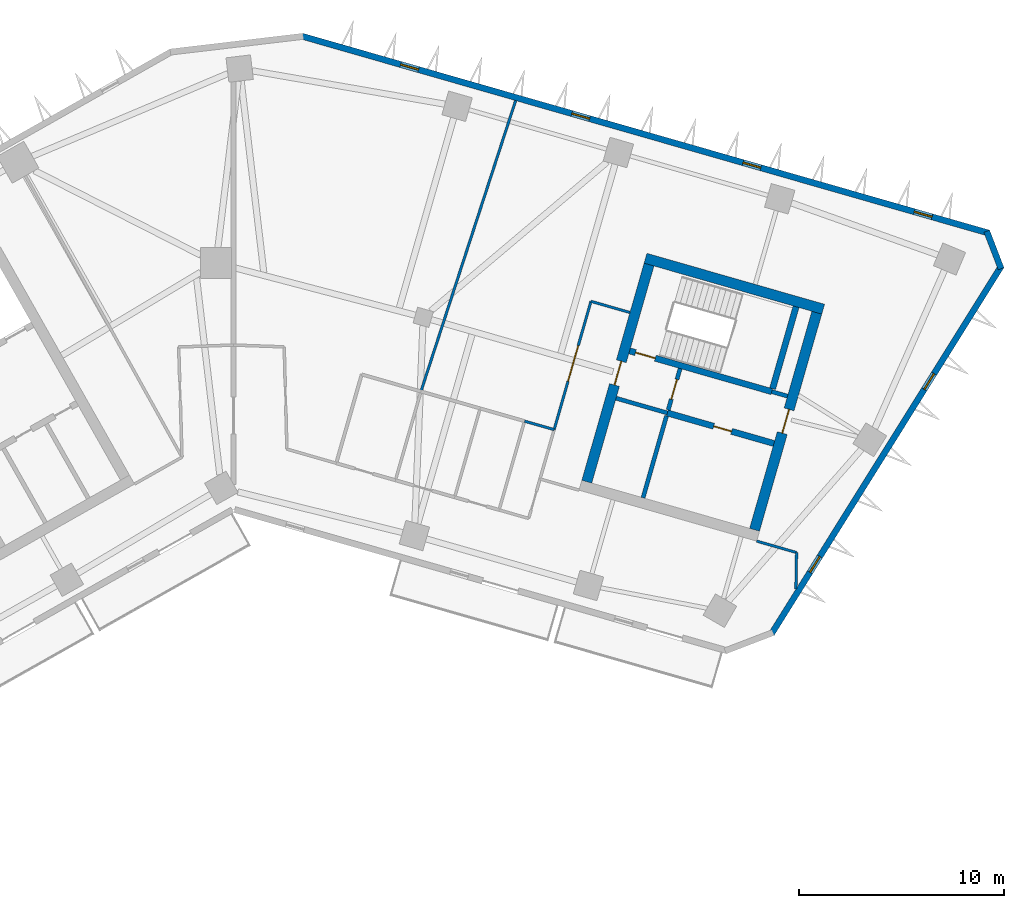
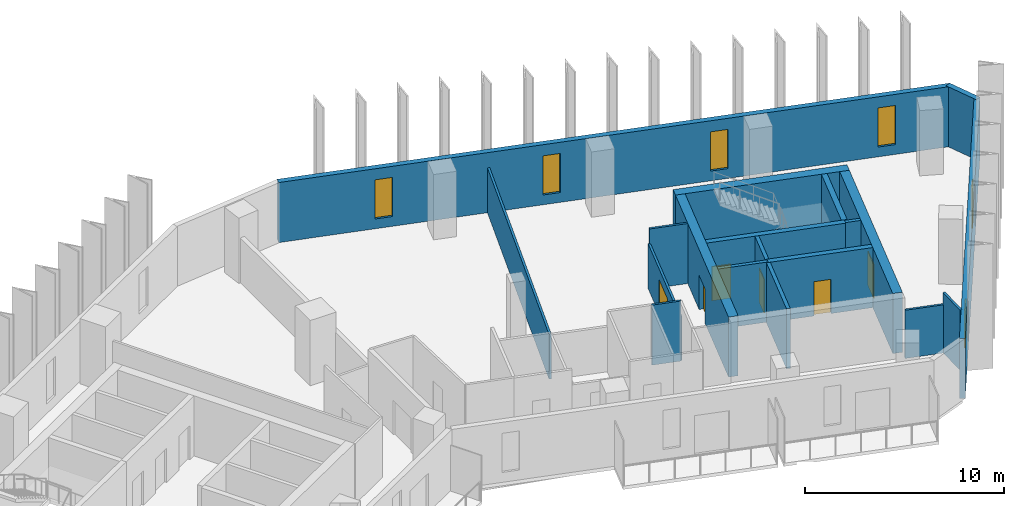
# One storey, part 6 of 10: 19 walls, 6 doors, 6 windows, 12 openings.
"""IFC4 building model written with IfcOpenShell, lengths in metres."""

from ifc_helpers import new_model, si_unit, direction, frame, frame_2d, origin, place, context, subcontext, project, spatial, rectangle, extrude, material, layer, layer_set, type_object, element, fill, save


model = new_model("IFC4")

# Units and contexts
model_context = context("Model", 3, precision=1e-05, world=origin(), true_north=direction((0.0, 1.0)))
body_context = subcontext(model_context, "Body", "Model", "MODEL_VIEW")
ifc_project = project(units=[si_unit("LENGTHUNIT", "METRE"), si_unit("AREAUNIT", "SQUARE_METRE"), si_unit("VOLUMEUNIT", "CUBIC_METRE"), si_unit("PLANEANGLEUNIT", "RADIAN"), si_unit("MASSUNIT", "GRAM", prefix="KILO")], contexts=[model_context])

# Site, building, storey
site_placement = place(None, origin())
site = spatial("IfcSite", under=ifc_project, at=site_placement, CompositionType="ELEMENT")
building_placement = place(site_placement, origin())
building = spatial("IfcBuilding", under=site, at=building_placement, Name="Binnacle Exchange Tower", CompositionType="ELEMENT")
storey_placement = place(building_placement, frame((0.0, 0.0, 194.89990234375)))
storey = spatial("IfcBuildingStorey", under=building, at=storey_placement, Name="L42", CompositionType="ELEMENT", Elevation=194.89990234375)

# Wall, opening, door
ifc_material_1 = material(Name="Concrete C70/85", Category="concrete")
ifc_layer_1 = layer(ifc_material_1, 0.300048828125)
ifc_layer_set_1 = layer_set([ifc_layer_1], Name="Core wall - front 300")
wall_type_1 = type_object("IfcWallType", Name="Core wall - front 300", PredefinedType="SOLIDWALL", material=ifc_layer_set_1)
wall_1_placement = place(storey_placement, frame((21.130859375, 52.6923828125, 0.0), z_axis=(0.0, 0.0, 1.0), x_axis=(0.961271043721, -0.27560475414, 0.0)))
wall_1 = element("IfcWall", 1, at=wall_1_placement, inside=storey, type_object=wall_type_1, Name="Core wall CRWD3", PredefinedType="SOLIDWALL", context=body_context, shape_type="SweptSolid", body=[
    extrude(rectangle(XDim=5.400146484375, YDim=0.300048828125, at=frame_2d((2.7001953125, 0.0))), origin(), (0.0, 0.0, 1.0), 3.68017578125),
])
opening_1_placement = place(wall_1_placement, frame((2.35009765625, 0.0, 0.0)))
opening_1 = element("IfcOpeningElement", 2, at=opening_1_placement, cuts=wall_1, Name="Opening DD10", PredefinedType="OPENING", context=body_context, shape_type="SweptSolid", body=[
    extrude(rectangle(XDim=0.89990234375, YDim=2.10009765625, at=frame_2d((0.449951171875, 1.050048828125))), frame((0.0, 0.159912109375, 0.0), z_axis=(0.0, -1.0, 0.0), x_axis=(1.0, 0.0, 0.0)), (0.0, 0.0, 1.0), 0.320068359375),
])
ifc_material_2 = material(Name="Steel door leaf", Category="steel")
door_type_1 = type_object("IfcDoorType", Name="Fire door 900", OperationType="NOTDEFINED", PredefinedType="DOOR", material=ifc_material_2)
door_1_placement = place(opening_1_placement, frame((0.89990234375, 0.0, 0.0), z_axis=(0.0, 0.0, 1.0), x_axis=(-1.0, 0.0, 0.0)))
door_1 = element("IfcDoor", 3, at=door_1_placement, inside=storey, type_object=door_type_1, Name="Core room door TELECOM RISER ROOM", OperationType="SINGLE_SWING_LEFT", OverallHeight=2.10009765625, OverallWidth=0.89990234375, PredefinedType="DOOR", context=body_context, shape_type="SweptSolid", body=[
    extrude(rectangle(XDim=0.89990234375, YDim=2.10009765625, at=frame_2d((0.449951171875, 1.050048828125))), frame((0.0, 0.02490234375, 0.0), z_axis=(0.0, -1.0, 0.0), x_axis=(1.0, 0.0, 0.0)), (0.0, 0.0, 1.0), 0.050048828125),
])
fill(opening_1, door_1)

# Wall
ifc_layer_2 = layer(ifc_material_1, 0.5)
ifc_layer_set_2 = layer_set([ifc_layer_2], Name="Core wall - outer 500")
wall_type_2 = type_object("IfcWallType", Name="Core wall - outer 500", PredefinedType="SOLIDWALL", material=ifc_layer_set_2)
wall_2_placement = place(storey_placement, frame((20.066650390625, 60.227783203125, 0.0), z_axis=(0.0, 0.0, 1.0), x_axis=(0.96126248289, -0.275634611374, 0.0)))
element("IfcWall", 4, at=wall_2_placement, inside=storey, type_object=wall_type_2, Name="Core wall CRWD6", PredefinedType="SOLIDWALL", context=body_context, shape_type="SweptSolid", body=[
    extrude(rectangle(XDim=9.0, YDim=0.5, at=frame_2d((4.5, 0.0))), origin(), (0.0, 0.0, 1.0), 3.68017578125),
])

# Wall, opening, door
wall_3_placement = place(storey_placement, frame((17.2060546875, 49.344482421875, 0.0), z_axis=(0.0, 0.0, 1.0), x_axis=(0.275632651182, 0.961263044958, 0.0)))
wall_3 = element("IfcWall", 5, at=wall_3_placement, inside=storey, type_object=wall_type_2, Name="Core wall CRWD7", PredefinedType="SOLIDWALL", context=body_context, shape_type="SweptSolid", body=[
    extrude(rectangle(XDim=11.0, YDim=0.5, at=frame_2d((5.5, 0.0))), origin(), (0.0, 0.0, 1.0), 3.68017578125),
])
opening_2_placement = place(wall_3_placement, frame((4.89990234375, 0.0, 0.0)))
opening_2 = element("IfcOpeningElement", 6, at=opening_2_placement, cuts=wall_3, Name="Opening DD5", PredefinedType="OPENING", context=body_context, shape_type="SweptSolid", body=[
    extrude(rectangle(XDim=1.199951171875, YDim=2.10009765625, at=frame_2d((0.60009765625, 1.050048828125))), frame((0.0, 0.260009765625, 0.0), z_axis=(0.0, -1.0, 0.0), x_axis=(1.0, 0.0, 0.0)), (0.0, 0.0, 1.0), 0.52001953125),
])
door_type_2 = type_object("IfcDoorType", Name="Fire door 1200", OperationType="NOTDEFINED", PredefinedType="DOOR", material=ifc_material_2)
door_2_placement = place(opening_2_placement, origin())
door_2 = element("IfcDoor", 7, at=door_2_placement, inside=storey, type_object=door_type_2, Name="Vestibule exit door VEST-W", OperationType="SINGLE_SWING_LEFT", OverallHeight=2.10009765625, OverallWidth=1.199951171875, PredefinedType="DOOR", context=body_context, shape_type="SweptSolid", body=[
    extrude(rectangle(XDim=1.199951171875, YDim=2.10009765625, at=frame_2d((0.60009765625, 1.050048828125))), frame((0.0, 0.02490234375, 0.0), z_axis=(0.0, -1.0, 0.0), x_axis=(1.0, 0.0, 0.0)), (0.0, 0.0, 1.0), 0.050048828125),
])
fill(opening_2, door_2)

wall_4_placement = place(storey_placement, frame((25.376708984375, 47.001708984375, 0.0), z_axis=(0.0, 0.0, 1.0), x_axis=(0.275632651182, 0.961263044958, 0.0)))
wall_4 = element("IfcWall", 8, at=wall_4_placement, inside=storey, type_object=wall_type_2, Name="Core wall CRWD12", PredefinedType="SOLIDWALL", context=body_context, shape_type="SweptSolid", body=[
    extrude(rectangle(XDim=11.0, YDim=0.5, at=frame_2d((5.5, 0.0))), origin(), (0.0, 0.0, 1.0), 3.68017578125),
])
opening_3_placement = place(wall_4_placement, frame((4.89990234375, 0.0, 0.0)))
opening_3 = element("IfcOpeningElement", 9, at=opening_3_placement, cuts=wall_4, Name="Opening DD6", PredefinedType="OPENING", context=body_context, shape_type="SweptSolid", body=[
    extrude(rectangle(XDim=1.199951171875, YDim=2.10009765625, at=frame_2d((0.60009765625, 1.050048828125))), frame((0.0, 0.260009765625, 0.0), z_axis=(0.0, -1.0, 0.0), x_axis=(1.0, 0.0, 0.0)), (0.0, 0.0, 1.0), 0.52001953125),
])
door_3_placement = place(opening_3_placement, frame((1.199951171875, 0.0, 0.0), z_axis=(0.0, 0.0, 1.0), x_axis=(-1.0, 0.0, 0.0)))
door_3 = element("IfcDoor", 10, at=door_3_placement, inside=storey, type_object=door_type_2, Name="Core passage exit door", OperationType="SINGLE_SWING_RIGHT", OverallHeight=2.10009765625, OverallWidth=1.199951171875, PredefinedType="DOOR", context=body_context, shape_type="SweptSolid", body=[
    extrude(rectangle(XDim=1.199951171875, YDim=2.10009765625, at=frame_2d((0.60009765625, 1.050048828125))), frame((0.0, 0.02490234375, 0.0), z_axis=(0.0, -1.0, 0.0), x_axis=(1.0, 0.0, 0.0)), (0.0, 0.0, 1.0), 0.050048828125),
])
fill(opening_3, door_3)

ifc_layer_3 = layer(ifc_material_1, 0.300048828125)
ifc_layer_set_3 = layer_set([ifc_layer_3], Name="Core wall - stair 300")
wall_type_3 = type_object("IfcWallType", Name="Core wall - stair 300", PredefinedType="SOLIDWALL", material=ifc_layer_set_3)
wall_5_placement = place(storey_placement, frame((19.293212890625, 55.71630859375, 0.0), z_axis=(0.0, 0.0, 1.0), x_axis=(0.96125862491, -0.275648065539, 0.0)))
wall_5 = element("IfcWall", 11, at=wall_5_placement, inside=storey, type_object=wall_type_3, Name="Core wall CRWD4", PredefinedType="SOLIDWALL", context=body_context, shape_type="SweptSolid", body=[
    extrude(rectangle(XDim=7.199951171875, YDim=0.300048828125, at=frame_2d((3.60009765625, 0.0))), origin(), (0.0, 0.0, 1.0), 3.68017578125),
])
opening_4_placement = place(wall_5_placement, frame((0.300048828125, 0.0, 0.0)))
opening_4 = element("IfcOpeningElement", 12, at=opening_4_placement, cuts=wall_5, Name="Opening DD1", PredefinedType="OPENING", context=body_context, shape_type="SweptSolid", body=[
    extrude(rectangle(XDim=1.0, YDim=2.10009765625, at=frame_2d((0.5, 1.050048828125))), frame((0.0, 0.159912109375, 0.0), z_axis=(0.0, -1.0, 0.0), x_axis=(1.0, 0.0, 0.0)), (0.0, 0.0, 1.0), 0.320068359375),
])
door_type_3 = type_object("IfcDoorType", Name="Fire door 1000", OperationType="NOTDEFINED", PredefinedType="DOOR", material=ifc_material_2)
door_4_placement = place(opening_4_placement, origin())
door_4 = element("IfcDoor", 13, at=door_4_placement, inside=storey, type_object=door_type_3, Name="Stair door ST-D1", OperationType="SINGLE_SWING_LEFT", OverallHeight=2.10009765625, OverallWidth=1.0, PredefinedType="DOOR", context=body_context, shape_type="SweptSolid", body=[
    extrude(rectangle(XDim=1.0, YDim=2.10009765625, at=frame_2d((0.5, 1.050048828125))), frame((0.0, 0.02490234375, 0.0), z_axis=(0.0, -1.0, 0.0), x_axis=(1.0, 0.0, 0.0)), (0.0, 0.0, 1.0), 0.050048828125),
])
fill(opening_4, door_4)

# Wall
wall_6_placement = place(storey_placement, frame((26.255615234375, 53.875732421875, 0.0), z_axis=(0.0, 0.0, 1.0), x_axis=(0.275614546295, 0.961268236171, 0.0)))
element("IfcWall", 14, at=wall_6_placement, inside=storey, type_object=wall_type_3, Name="Core wall CRWD11", PredefinedType="SOLIDWALL", context=body_context, shape_type="SweptSolid", body=[
    extrude(rectangle(XDim=4.14990234375, YDim=0.300048828125, at=frame_2d((2.074951171875, 0.0))), origin(), (0.0, 0.0, 1.0), 3.68017578125),
])

# Wall, openings, windows
ifc_material_3 = material(Name="Bronze aluminium cladding", Category="aluminium")
ifc_layer_4 = layer(ifc_material_3, 0.300048828125)
ifc_layer_set_4 = layer_set([ifc_layer_4], Name="External wall - spandrel 300")
wall_type_4 = type_object("IfcWallType", Name="External wall - spandrel 300", PredefinedType="STANDARD", material=ifc_layer_set_4)
wall_7_placement = place(storey_placement, frame((37.39892578125, 59.850830078125, 0.0), z_axis=(0.0, 0.0, 1.0), x_axis=(-0.529919986982, -0.848047644532, 0.0)))
wall_7 = element("IfcWall", 15, at=wall_7_placement, inside=storey, type_object=wall_type_4, Name="External wall EW-G04 L42", PredefinedType="STANDARD", context=body_context, shape_type="SweptSolid", body=[
    extrude(rectangle(XDim=21.125, YDim=0.300048828125, at=frame_2d((10.5625, 0.0))), origin(), (0.0, 0.0, 1.0), 3.68017578125),
])
opening_5_placement = place(wall_7_placement, frame((16.687255859375, 0.0, 0.60009765625)))
opening_5 = element("IfcOpeningElement", 16, at=opening_5_placement, cuts=wall_7, Name="Opening WS3", PredefinedType="OPENING", context=body_context, shape_type="SweptSolid", body=[
    extrude(rectangle(XDim=0.89990234375, YDim=2.39990234375, at=frame_2d((0.449951171875, 1.199951171875))), frame((0.0, 0.159912109375, 0.0), z_axis=(0.0, -1.0, 0.0), x_axis=(1.0, 0.0, 0.0)), (0.0, 0.0, 1.0), 0.320068359375),
])
opening_6_placement = place(wall_7_placement, frame((6.187255859375, 0.0, 0.60009765625)))
opening_6 = element("IfcOpeningElement", 17, at=opening_6_placement, cuts=wall_7, Name="Opening WS3", PredefinedType="OPENING", context=body_context, shape_type="SweptSolid", body=[
    extrude(rectangle(XDim=0.89990234375, YDim=2.39990234375, at=frame_2d((0.449951171875, 1.199951171875))), frame((0.0, 0.159912109375, 0.0), z_axis=(0.0, -1.0, 0.0), x_axis=(1.0, 0.0, 0.0)), (0.0, 0.0, 1.0), 0.320068359375),
])
ifc_material_4 = material(Name="Bronze anodised aluminium frame", Category="aluminium")
window_type = type_object("IfcWindowType", Name="WS3 WINDOW 900x2400", PartitioningType="SINGLE_PANEL", PredefinedType="WINDOW", material=ifc_material_4)
window_1_placement = place(opening_5_placement, origin())
window_1 = element("IfcWindow", 18, at=window_1_placement, inside=storey, type_object=window_type, Name="Window WS3 L42", OverallHeight=2.39990234375, OverallWidth=0.89990234375, PartitioningType="SINGLE_PANEL", PredefinedType="WINDOW", context=body_context, shape_type="SweptSolid", body=[
    extrude(rectangle(XDim=0.89990234375, YDim=2.39990234375, at=frame_2d((0.449951171875, 1.199951171875))), frame((0.0, 0.030029296875, 0.0), z_axis=(0.0, -1.0, 0.0), x_axis=(1.0, 0.0, 0.0)), (0.0, 0.0, 1.0), 0.06005859375),
])
fill(opening_5, window_1)
window_2_placement = place(opening_6_placement, origin())
window_2 = element("IfcWindow", 19, at=window_2_placement, inside=storey, type_object=window_type, Name="Window WS3 L42", OverallHeight=2.39990234375, OverallWidth=0.89990234375, PartitioningType="SINGLE_PANEL", PredefinedType="WINDOW", context=body_context, shape_type="SweptSolid", body=[
    extrude(rectangle(XDim=0.89990234375, YDim=2.39990234375, at=frame_2d((0.449951171875, 1.199951171875))), frame((0.0, 0.030029296875, 0.0), z_axis=(0.0, -1.0, 0.0), x_axis=(1.0, 0.0, 0.0)), (0.0, 0.0, 1.0), 0.06005859375),
])
fill(opening_6, window_2)

# Wall
wall_8_placement = place(storey_placement, frame((36.685546875, 61.542724609375, 0.0), z_axis=(0.0, 0.0, 1.0), x_axis=(0.358284408222, -0.933612490718, 0.0)))
element("IfcWall", 20, at=wall_8_placement, inside=storey, type_object=wall_type_4, Name="External wall EW-G05 L42", PredefinedType="STANDARD", context=body_context, shape_type="SweptSolid", body=[
    extrude(rectangle(XDim=1.955078125, YDim=0.300048828125, at=frame_2d((0.9775390625, 0.0))), origin(), (0.0, 0.0, 1.0), 3.68017578125),
])

# Wall, openings, windows
wall_9_placement = place(storey_placement, frame((3.33544921875, 71.043701171875, 0.0), z_axis=(0.0, 0.0, 1.0), x_axis=(0.961261395375, -0.275638404002, 0.0)))
wall_9 = element("IfcWall", 21, at=wall_9_placement, inside=storey, type_object=wall_type_4, Name="External wall EW-G06 L42", PredefinedType="STANDARD", context=body_context, shape_type="SweptSolid", body=[
    extrude(rectangle(XDim=34.796630859375, YDim=0.300048828125, at=frame_2d((17.3984375, 0.0))), origin(), (0.0, 0.0, 1.0), 3.68017578125),
])
opening_7_placement = place(wall_9_placement, frame((31.01953125, 0.0, 0.60009765625)))
opening_7 = element("IfcOpeningElement", 22, at=opening_7_placement, cuts=wall_9, Name="Opening WS3", PredefinedType="OPENING", context=body_context, shape_type="SweptSolid", body=[
    extrude(rectangle(XDim=0.89990234375, YDim=2.39990234375, at=frame_2d((0.449951171875, 1.199951171875))), frame((0.0, 0.159912109375, 0.0), z_axis=(0.0, -1.0, 0.0), x_axis=(1.0, 0.0, 0.0)), (0.0, 0.0, 1.0), 0.320068359375),
])
opening_8_placement = place(wall_9_placement, frame((22.3466796875, 0.0, 0.60009765625)))
opening_8 = element("IfcOpeningElement", 23, at=opening_8_placement, cuts=wall_9, Name="Opening WS3", PredefinedType="OPENING", context=body_context, shape_type="SweptSolid", body=[
    extrude(rectangle(XDim=0.89990234375, YDim=2.39990234375, at=frame_2d((0.449951171875, 1.199951171875))), frame((0.0, 0.159912109375, 0.0), z_axis=(0.0, -1.0, 0.0), x_axis=(1.0, 0.0, 0.0)), (0.0, 0.0, 1.0), 0.320068359375),
])
opening_9_placement = place(wall_9_placement, frame((13.673583984375, 0.0, 0.60009765625)))
opening_9 = element("IfcOpeningElement", 24, at=opening_9_placement, cuts=wall_9, Name="Opening WS3", PredefinedType="OPENING", context=body_context, shape_type="SweptSolid", body=[
    extrude(rectangle(XDim=0.89990234375, YDim=2.39990234375, at=frame_2d((0.449951171875, 1.199951171875))), frame((0.0, 0.159912109375, 0.0), z_axis=(0.0, -1.0, 0.0), x_axis=(1.0, 0.0, 0.0)), (0.0, 0.0, 1.0), 0.320068359375),
])
opening_10_placement = place(wall_9_placement, frame((5.000732421875, 0.0, 0.60009765625)))
opening_10 = element("IfcOpeningElement", 25, at=opening_10_placement, cuts=wall_9, Name="Opening WS3", PredefinedType="OPENING", context=body_context, shape_type="SweptSolid", body=[
    extrude(rectangle(XDim=0.89990234375, YDim=2.39990234375, at=frame_2d((0.449951171875, 1.199951171875))), frame((0.0, 0.159912109375, 0.0), z_axis=(0.0, -1.0, 0.0), x_axis=(1.0, 0.0, 0.0)), (0.0, 0.0, 1.0), 0.320068359375),
])
window_3_placement = place(opening_7_placement, origin())
window_3 = element("IfcWindow", 26, at=window_3_placement, inside=storey, type_object=window_type, Name="Window WS3 L42", OverallHeight=2.39990234375, OverallWidth=0.89990234375, PartitioningType="SINGLE_PANEL", PredefinedType="WINDOW", context=body_context, shape_type="SweptSolid", body=[
    extrude(rectangle(XDim=0.89990234375, YDim=2.39990234375, at=frame_2d((0.449951171875, 1.199951171875))), frame((0.0, 0.030029296875, 0.0), z_axis=(0.0, -1.0, 0.0), x_axis=(1.0, 0.0, 0.0)), (0.0, 0.0, 1.0), 0.06005859375),
])
fill(opening_7, window_3)
window_4_placement = place(opening_8_placement, origin())
window_4 = element("IfcWindow", 27, at=window_4_placement, inside=storey, type_object=window_type, Name="Window WS3 L42", OverallHeight=2.39990234375, OverallWidth=0.89990234375, PartitioningType="SINGLE_PANEL", PredefinedType="WINDOW", context=body_context, shape_type="SweptSolid", body=[
    extrude(rectangle(XDim=0.89990234375, YDim=2.39990234375, at=frame_2d((0.449951171875, 1.199951171875))), frame((0.0, 0.030029296875, 0.0), z_axis=(0.0, -1.0, 0.0), x_axis=(1.0, 0.0, 0.0)), (0.0, 0.0, 1.0), 0.06005859375),
])
fill(opening_8, window_4)
window_5_placement = place(opening_9_placement, origin())
window_5 = element("IfcWindow", 28, at=window_5_placement, inside=storey, type_object=window_type, Name="Window WS3 L42", OverallHeight=2.39990234375, OverallWidth=0.89990234375, PartitioningType="SINGLE_PANEL", PredefinedType="WINDOW", context=body_context, shape_type="SweptSolid", body=[
    extrude(rectangle(XDim=0.89990234375, YDim=2.39990234375, at=frame_2d((0.449951171875, 1.199951171875))), frame((0.0, 0.030029296875, 0.0), z_axis=(0.0, -1.0, 0.0), x_axis=(1.0, 0.0, 0.0)), (0.0, 0.0, 1.0), 0.06005859375),
])
fill(opening_9, window_5)
window_6_placement = place(opening_10_placement, origin())
window_6 = element("IfcWindow", 29, at=window_6_placement, inside=storey, type_object=window_type, Name="Window WS3 L42", OverallHeight=2.39990234375, OverallWidth=0.89990234375, PartitioningType="SINGLE_PANEL", PredefinedType="WINDOW", context=body_context, shape_type="SweptSolid", body=[
    extrude(rectangle(XDim=0.89990234375, YDim=2.39990234375, at=frame_2d((0.449951171875, 1.199951171875))), frame((0.0, 0.030029296875, 0.0), z_axis=(0.0, -1.0, 0.0), x_axis=(1.0, 0.0, 0.0)), (0.0, 0.0, 1.0), 0.06005859375),
])
fill(opening_10, window_6)

# Wall, opening, door
ifc_material_5 = material(Name="Masonry block wall", Category="masonry")
ifc_layer_5 = layer(ifc_material_5, 0.199951171875)
ifc_layer_set_5 = layer_set([ifc_layer_5], Name="Fire wall - vestibule 200")
wall_type_5 = type_object("IfcWallType", Name="Fire wall - vestibule 200", PredefinedType="PARTITIONING", material=ifc_layer_set_5)
wall_10_placement = place(storey_placement, frame((21.172119140625, 52.836669921875, 0.0), z_axis=(0.0, 0.0, 1.0), x_axis=(0.275657676022, 0.961255868981, 0.0)))
wall_10 = element("IfcWall", 30, at=wall_10_placement, inside=storey, type_object=wall_type_5, Name="Core wall CRWD9", PredefinedType="PARTITIONING", context=body_context, shape_type="SweptSolid", body=[
    extrude(rectangle(XDim=2.099853515625, YDim=0.199951171875, at=frame_2d((1.0498046875, 0.0))), origin(), (0.0, 0.0, 1.0), 3.68017578125),
])
opening_11_placement = place(wall_10_placement, frame((0.550048828125, 0.0, 0.0)))
opening_11 = element("IfcOpeningElement", 31, at=opening_11_placement, cuts=wall_10, Name="Opening DD3", PredefinedType="OPENING", context=body_context, shape_type="SweptSolid", body=[
    extrude(rectangle(XDim=1.0, YDim=2.10009765625, at=frame_2d((0.5, 1.050048828125))), frame((0.0, 0.10986328125, 0.0), z_axis=(0.0, -1.0, 0.0), x_axis=(1.0, 0.0, 0.0)), (0.0, 0.0, 1.0), 0.219970703125),
])
door_5_placement = place(opening_11_placement, origin())
door_5 = element("IfcDoor", 32, at=door_5_placement, inside=storey, type_object=door_type_3, Name="Vestibule door VEST-W", OperationType="SINGLE_SWING_RIGHT", OverallHeight=2.10009765625, OverallWidth=1.0, PredefinedType="DOOR", context=body_context, shape_type="SweptSolid", body=[
    extrude(rectangle(XDim=1.0, YDim=2.10009765625, at=frame_2d((0.5, 1.050048828125))), frame((0.0, 0.02490234375, 0.0), z_axis=(0.0, -1.0, 0.0), x_axis=(1.0, 0.0, 0.0)), (0.0, 0.0, 1.0), 0.050048828125),
])
fill(opening_11, door_5)

# Walls
ifc_material_6 = material(Name="Gypsum partition")
ifc_layer_6 = layer(ifc_material_6, 0.125)
ifc_layer_set_6 = layer_set([ifc_layer_6], Name="Partition 125")
wall_type_6 = type_object("IfcWallType", Name="Partition 125", PredefinedType="PARTITIONING", material=ifc_layer_set_6)
wall_11_placement = place(storey_placement, frame((9.12890625, 53.740966796875, 0.0), z_axis=(0.0, 0.0, 1.0), x_axis=(0.309576741849, 0.950874461171, 0.0)))
element("IfcWall", 33, at=wall_11_placement, inside=storey, type_object=wall_type_6, Name="Partition W19", PredefinedType="PARTITIONING", context=body_context, shape_type="SweptSolid", body=[
    extrude(rectangle(XDim=14.894775390625, YDim=0.125, at=frame_2d((7.447265625, 0.0))), origin(), (0.0, 0.0, 1.0), 2.748046875),
])
wall_12_placement = place(storey_placement, frame((14.175048828125, 52.2939453125, 0.0), z_axis=(0.0, 0.0, 1.0), x_axis=(0.961370232732, -0.275258561387, 0.0)))
element("IfcWall", 34, at=wall_12_placement, inside=storey, type_object=wall_type_6, Name="Partition W25", PredefinedType="PARTITIONING", context=body_context, shape_type="SweptSolid", body=[
    extrude(rectangle(XDim=1.499755859375, YDim=0.125, at=frame_2d((0.75, 0.0))), origin(), (0.0, 0.0, 1.0), 3.68017578125),
])

# Wall, opening, door
wall_13_placement = place(storey_placement, frame((15.616943359375, 51.881103515625, 0.0), z_axis=(0.0, 0.0, 1.0), x_axis=(0.275703259795, 0.961242795832, 0.0)))
wall_13 = element("IfcWall", 35, at=wall_13_placement, inside=storey, type_object=wall_type_6, Name="Partition W29", PredefinedType="PARTITIONING", context=body_context, shape_type="SweptSolid", body=[
    extrude(rectangle(XDim=6.499755859375, YDim=0.125, at=frame_2d((3.25, 0.0))), origin(), (0.0, 0.0, 1.0), 2.748046875),
])
opening_12_placement = place(wall_13_placement, frame((2.449951171875, 0.0, 0.0)))
opening_12 = element("IfcOpeningElement", 36, at=opening_12_placement, cuts=wall_13, Name="Opening DL41-08", PredefinedType="OPENING", context=body_context, shape_type="SweptSolid", body=[
    extrude(rectangle(XDim=1.800048828125, YDim=2.10009765625, at=frame_2d((0.89990234375, 1.050048828125))), frame((0.0, 0.072509765625, 0.0), z_axis=(0.0, -1.0, 0.0), x_axis=(1.0, 0.0, 0.0)), (0.0, 0.0, 1.0), 0.14501953125),
])
ifc_material_7 = material(Name="Timber door leaf", Category="wood")
door_type_4 = type_object("IfcDoorType", Name="Double door 1800", OperationType="NOTDEFINED", PredefinedType="DOOR", material=ifc_material_7)
door_6_placement = place(opening_12_placement, origin())
door_6 = element("IfcDoor", 37, at=door_6_placement, inside=storey, type_object=door_type_4, Name="Door DL41-08", OperationType="DOUBLE_DOOR_SINGLE_SWING", OverallHeight=2.10009765625, OverallWidth=1.800048828125, PredefinedType="DOOR", context=body_context, shape_type="SweptSolid", body=[
    extrude(rectangle(XDim=1.800048828125, YDim=2.10009765625, at=frame_2d((0.89990234375, 1.050048828125))), frame((0.0, 0.02490234375, 0.0), z_axis=(0.0, -1.0, 0.0), x_axis=(1.0, 0.0, 0.0)), (0.0, 0.0, 1.0), 0.050048828125),
])
fill(opening_12, door_6)

# Walls
wall_14_placement = place(storey_placement, frame((17.408935546875, 58.12890625, 0.0), z_axis=(0.0, 0.0, 1.0), x_axis=(0.961253165474, -0.275667103345, 0.0)))
element("IfcWall", 38, at=wall_14_placement, inside=storey, type_object=wall_type_6, Name="Partition W30", PredefinedType="PARTITIONING", context=body_context, shape_type="SweptSolid", body=[
    extrude(rectangle(XDim=1.976806640625, YDim=0.125, at=frame_2d((0.98828125, 0.0))), origin(), (0.0, 0.0, 1.0), 3.68017578125),
])
wall_15_placement = place(storey_placement, frame((25.47900390625, 46.451904296875, 0.0), z_axis=(0.0, 0.0, 1.0), x_axis=(0.961245725795, -0.275693044238, 0.0)))
element("IfcWall", 39, at=wall_15_placement, inside=storey, type_object=wall_type_6, Name="Partition W31", PredefinedType="PARTITIONING", context=body_context, shape_type="SweptSolid", body=[
    extrude(rectangle(XDim=2.0234375, YDim=0.125, at=frame_2d((1.01171875, 0.0))), origin(), (0.0, 0.0, 1.0), 2.9521484375),
])
wall_16_placement = place(storey_placement, frame((27.39111328125, 44.116943359375, 0.0), z_axis=(0.0, 0.0, 1.0), x_axis=(0.018543314717, 0.999828057958, 0.0)))
element("IfcWall", 40, at=wall_16_placement, inside=storey, type_object=wall_type_6, Name="Partition W32", PredefinedType="PARTITIONING", context=body_context, shape_type="SweptSolid", body=[
    extrude(rectangle(XDim=1.77734375, YDim=0.125, at=frame_2d((0.888671875, 0.0))), origin(), (0.0, 0.0, 1.0), 3.68017578125),
])
ifc_layer_7 = layer(ifc_material_5, 0.199951171875)
ifc_layer_set_7 = layer_set([ifc_layer_7], Name="Riser wall 200")
wall_type_7 = type_object("IfcWallType", Name="Riser wall 200", PredefinedType="SOLIDWALL", material=ifc_layer_set_7)
wall_17_placement = place(storey_placement, frame((18.631591796875, 53.4091796875, 0.0), z_axis=(0.0, 0.0, 1.0), x_axis=(0.961247078216, -0.275688328772, 0.0)))
element("IfcWall", 41, at=wall_17_placement, inside=storey, type_object=wall_type_7, Name="Core wall CRWD2", PredefinedType="SOLIDWALL", context=body_context, shape_type="SweptSolid", body=[
    extrude(rectangle(XDim=2.60009765625, YDim=0.199951171875, at=frame_2d((1.300048828125, 0.0))), origin(), (0.0, 0.0, 1.0), 3.68017578125),
])
wall_18_placement = place(storey_placement, frame((26.214111328125, 53.731689453125, 0.0), z_axis=(0.0, 0.0, 1.0), x_axis=(0.961200870072, -0.275849392554, 0.0)))
element("IfcWall", 42, at=wall_18_placement, inside=storey, type_object=wall_type_7, Name="Core wall CRWD5", PredefinedType="SOLIDWALL", context=body_context, shape_type="SweptSolid", body=[
    extrude(rectangle(XDim=0.800048828125, YDim=0.199951171875, at=frame_2d((0.39990234375, 0.0))), origin(), (0.0, 0.0, 1.0), 3.68017578125),
])
wall_19_placement = place(storey_placement, frame((19.945556640625, 48.55908203125, 0.0), z_axis=(0.0, 0.0, 1.0), x_axis=(0.275668905258, 0.961252648721, 0.0)))
element("IfcWall", 43, at=wall_19_placement, inside=storey, type_object=wall_type_7, Name="Core wall CRWD8", PredefinedType="SOLIDWALL", context=body_context, shape_type="SweptSolid", body=[
    extrude(rectangle(XDim=4.150146484375, YDim=0.199951171875, at=frame_2d((2.0751953125, 0.0))), origin(), (0.0, 0.0, 1.0), 3.68017578125),
])

save(model, "model.ifc")
